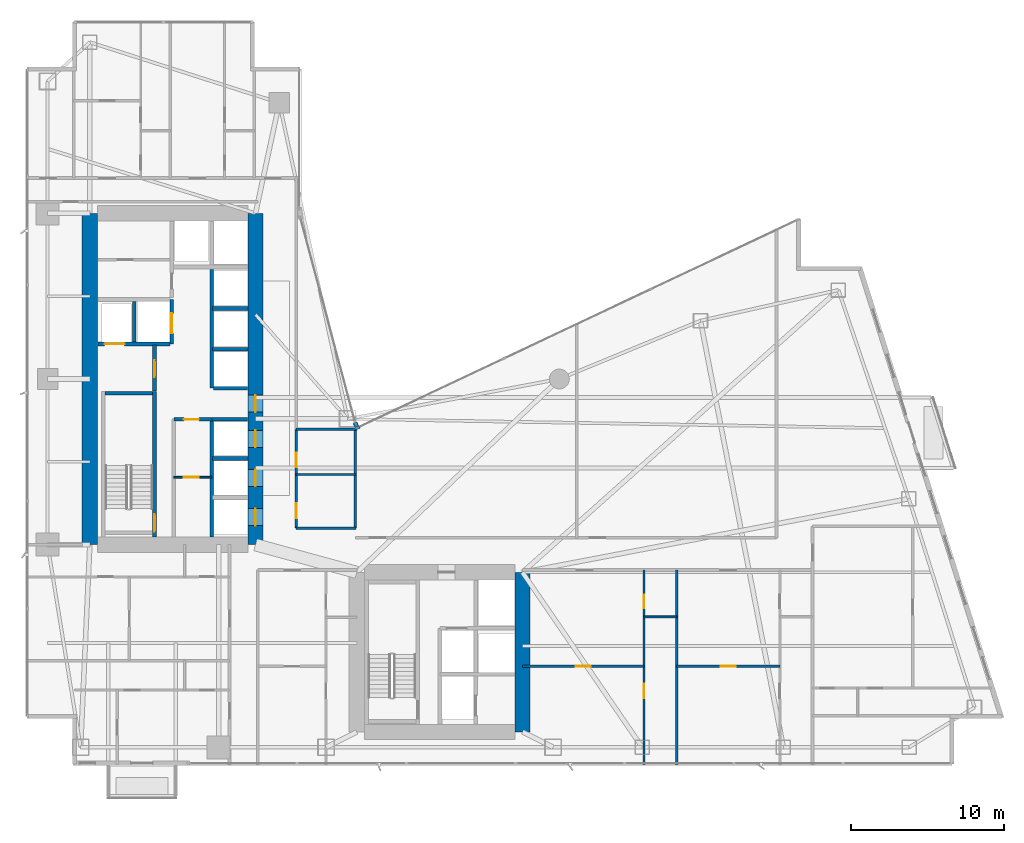
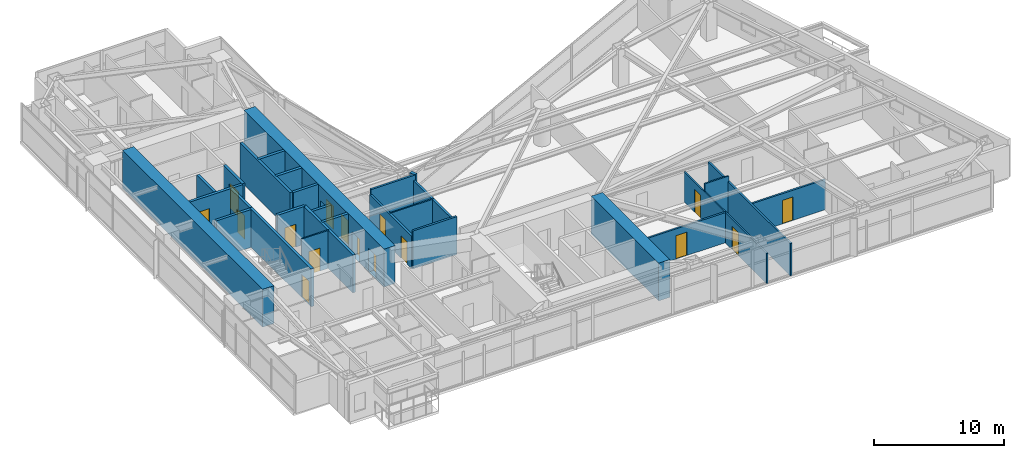
# One storey, part 23 of 29: 29 walls, 16 doors, 16 openings.
"""IFC4 building model written with IfcOpenShell, lengths in metres."""

from ifc_helpers import new_model, si_unit, direction, frame, frame_2d, origin, place, context, subcontext, project, spatial, rectangle, extrude, material, layer, layer_set, type_object, element, fill, save


model = new_model("IFC4")

# Units and contexts
model_context = context("Model", 3, precision=1e-05, world=origin(), true_north=direction((0.0, 1.0)))
body_context = subcontext(model_context, "Body", "Model", "MODEL_VIEW")
ifc_project = project(units=[si_unit("LENGTHUNIT", "METRE"), si_unit("AREAUNIT", "SQUARE_METRE"), si_unit("VOLUMEUNIT", "CUBIC_METRE"), si_unit("PLANEANGLEUNIT", "RADIAN"), si_unit("MASSUNIT", "GRAM", prefix="KILO")], contexts=[model_context])

# Site, building, storey
site_placement = place(None, origin())
site = spatial("IfcSite", under=ifc_project, at=site_placement, CompositionType="ELEMENT")
building_placement = place(site_placement, origin())
building = spatial("IfcBuilding", under=site, at=building_placement, Name="Calvorn Quay Hotel", CompositionType="ELEMENT")
storey_placement = place(building_placement, frame((0.0, 0.0, 66.0)))
storey = spatial("IfcBuildingStorey", under=building, at=storey_placement, Name="L15", CompositionType="ELEMENT", Elevation=66.0)

# Wall
ifc_material_1 = material(Name="Concrete C60", Category="concrete")
ifc_layer_1 = layer(ifc_material_1, 1.0)
ifc_layer_set_1 = layer_set([ifc_layer_1], Name="WL-CORE-1000")
wall_type_1 = type_object("IfcWallType", Name="WL-CORE-1000", PredefinedType="SHEAR", material=ifc_layer_set_1)
wall_1_placement = place(storey_placement, frame((4.199951171875, 16.800048828125, 0.0), z_axis=(0.0, 0.0, 1.0), x_axis=(0.0, 1.0, 0.0)))
element("IfcWall", 1, at=wall_1_placement, inside=storey, type_object=wall_type_1, Name="West Core Shear Wall W (L15)", PredefinedType="SHEAR", context=body_context, shape_type="SweptSolid", body=[
    extrude(rectangle(XDim=21.599853515625, YDim=1.0, at=frame_2d((10.7998046875, 0.0))), origin(), (0.0, 0.0, 1.0), 3.56005859375),
])

# Wall, openings, doors
wall_2_placement = place(storey_placement, frame((15.0, 16.800048828125, 0.0), z_axis=(0.0, 0.0, 1.0), x_axis=(0.0, 1.0, 0.0)))
wall_2 = element("IfcWall", 2, at=wall_2_placement, inside=storey, type_object=wall_type_1, Name="West Core Shear Wall E (L15)", PredefinedType="SHEAR", context=body_context, shape_type="SweptSolid", body=[
    extrude(rectangle(XDim=21.599853515625, YDim=1.0, at=frame_2d((10.7998046875, 0.0))), origin(), (0.0, 0.0, 1.0), 3.56005859375),
])
opening_1_placement = place(wall_2_placement, frame((8.64990234375, 0.0, 0.0)))
opening_1 = element("IfcOpeningElement", 3, at=opening_1_placement, cuts=wall_2, Name="Opening D-L15-CW1", PredefinedType="OPENING", context=body_context, shape_type="SweptSolid", body=[
    extrude(rectangle(XDim=1.10009765625, YDim=2.199951171875, at=frame_2d((0.550048828125, 1.10009765625))), frame((0.0, 0.510009765625, 0.0), z_axis=(0.0, -1.0, 0.0), x_axis=(1.0, 0.0, 0.0)), (0.0, 0.0, 1.0), 1.02001953125),
])
opening_2_placement = place(wall_2_placement, frame((1.25, 0.0, 0.0)))
opening_2 = element("IfcOpeningElement", 4, at=opening_2_placement, cuts=wall_2, Name="Opening LD-L15-L1", PredefinedType="OPENING", context=body_context, shape_type="SweptSolid", body=[
    extrude(rectangle(XDim=1.10009765625, YDim=2.199951171875, at=frame_2d((0.550048828125, 1.10009765625))), frame((0.0, 0.510009765625, 0.0), z_axis=(0.0, -1.0, 0.0), x_axis=(1.0, 0.0, 0.0)), (0.0, 0.0, 1.0), 1.02001953125),
])
opening_3_placement = place(wall_2_placement, frame((3.800048828125, 0.0, 0.0)))
opening_3 = element("IfcOpeningElement", 5, at=opening_3_placement, cuts=wall_2, Name="Opening LD-L15-L2", PredefinedType="OPENING", context=body_context, shape_type="SweptSolid", body=[
    extrude(rectangle(XDim=1.10009765625, YDim=2.199951171875, at=frame_2d((0.550048828125, 1.10009765625))), frame((0.0, 0.510009765625, 0.0), z_axis=(0.0, -1.0, 0.0), x_axis=(1.0, 0.0, 0.0)), (0.0, 0.0, 1.0), 1.02001953125),
])
opening_4_placement = place(wall_2_placement, frame((6.35009765625, 0.0, 0.0)))
opening_4 = element("IfcOpeningElement", 6, at=opening_4_placement, cuts=wall_2, Name="Opening LD-L15-L3", PredefinedType="OPENING", context=body_context, shape_type="SweptSolid", body=[
    extrude(rectangle(XDim=1.10009765625, YDim=2.199951171875, at=frame_2d((0.550048828125, 1.10009765625))), frame((0.0, 0.510009765625, 0.0), z_axis=(0.0, -1.0, 0.0), x_axis=(1.0, 0.0, 0.0)), (0.0, 0.0, 1.0), 1.02001953125),
])
ifc_material_2 = material(Name="Smoke-Sealed Steel Class A Fire Door", Category="steel")
door_type_1 = type_object("IfcDoorType", Name="DR-FFLOBBY-1100", OperationType="NOTDEFINED", PredefinedType="DOOR", material=ifc_material_2)
door_1_placement = place(opening_1_placement, origin())
door_1 = element("IfcDoor", 7, at=door_1_placement, inside=storey, type_object=door_type_1, Name="West Core Vestibule Fire Door (L15)", OperationType="SINGLE_SWING_RIGHT", OverallHeight=2.199951171875, OverallWidth=1.10009765625, PredefinedType="DOOR", context=body_context, shape_type="SweptSolid", body=[
    extrude(rectangle(XDim=1.10009765625, YDim=2.199951171875, at=frame_2d((0.550048828125, 1.10009765625))), frame((0.0, 0.02490234375, 0.0), z_axis=(0.0, -1.0, 0.0), x_axis=(1.0, 0.0, 0.0)), (0.0, 0.0, 1.0), 0.050048828125),
])
fill(opening_1, door_1)
ifc_material_3 = material(Name="Brushed Stainless Steel Sliding Lift Landing Door", Category="steel")
door_type_2 = type_object("IfcDoorType", Name="DR-LIFT-PASS-1100", OperationType="NOTDEFINED", PredefinedType="DOOR", material=ifc_material_3)
door_2_placement = place(opening_2_placement, origin())
door_2 = element("IfcDoor", 8, at=door_2_placement, inside=storey, type_object=door_type_2, Name="Low-Rise Lift PL-L1 Landing Door (L15)", OperationType="DOUBLE_DOOR_SLIDING", OverallHeight=2.199951171875, OverallWidth=1.10009765625, PredefinedType="DOOR", context=body_context, shape_type="SweptSolid", body=[
    extrude(rectangle(XDim=1.10009765625, YDim=2.199951171875, at=frame_2d((0.550048828125, 1.10009765625))), frame((0.0, 0.02490234375, 0.0), z_axis=(0.0, -1.0, 0.0), x_axis=(1.0, 0.0, 0.0)), (0.0, 0.0, 1.0), 0.050048828125),
])
fill(opening_2, door_2)
door_3_placement = place(opening_3_placement, origin())
door_3 = element("IfcDoor", 9, at=door_3_placement, inside=storey, type_object=door_type_2, Name="Low-Rise Lift PL-L2 Landing Door (L15)", OperationType="DOUBLE_DOOR_SLIDING", OverallHeight=2.199951171875, OverallWidth=1.10009765625, PredefinedType="DOOR", context=body_context, shape_type="SweptSolid", body=[
    extrude(rectangle(XDim=1.10009765625, YDim=2.199951171875, at=frame_2d((0.550048828125, 1.10009765625))), frame((0.0, 0.02490234375, 0.0), z_axis=(0.0, -1.0, 0.0), x_axis=(1.0, 0.0, 0.0)), (0.0, 0.0, 1.0), 0.050048828125),
])
fill(opening_3, door_3)
door_4_placement = place(opening_4_placement, origin())
door_4 = element("IfcDoor", 10, at=door_4_placement, inside=storey, type_object=door_type_2, Name="Low-Rise Lift PL-L3 Landing Door (L15)", OperationType="DOUBLE_DOOR_SLIDING", OverallHeight=2.199951171875, OverallWidth=1.10009765625, PredefinedType="DOOR", context=body_context, shape_type="SweptSolid", body=[
    extrude(rectangle(XDim=1.10009765625, YDim=2.199951171875, at=frame_2d((0.550048828125, 1.10009765625))), frame((0.0, 0.02490234375, 0.0), z_axis=(0.0, -1.0, 0.0), x_axis=(1.0, 0.0, 0.0)), (0.0, 0.0, 1.0), 0.050048828125),
])
fill(opening_4, door_4)

# Walls
wall_3_placement = place(storey_placement, frame((32.39990234375, 4.60009765625, 0.0), z_axis=(0.0, 0.0, 1.0), x_axis=(0.0, 1.0, 0.0)))
element("IfcWall", 11, at=wall_3_placement, inside=storey, type_object=wall_type_1, Name="East Core Shear Wall E (L15)", PredefinedType="SHEAR", context=body_context, shape_type="SweptSolid", body=[
    extrude(rectangle(XDim=10.39990234375, YDim=1.0, at=frame_2d((5.199951171875, 0.0))), origin(), (0.0, 0.0, 1.0), 3.56005859375),
])
ifc_material_4 = material(Name="Acoustic Fireboard Steel-Stud Partition", Category="steel")
ifc_layer_2 = layer(ifc_material_4, 0.179931640625)
ifc_layer_set_2 = layer_set([ifc_layer_2], Name="WL-CORR-FIRE-180")
wall_type_2 = type_object("IfcWallType", Name="WL-CORR-FIRE-180", PredefinedType="PARTITIONING", material=ifc_layer_set_2)
wall_4_placement = place(storey_placement, frame((17.64990234375, 17.8798828125, 0.0), z_axis=(0.0, 0.0, 1.0), x_axis=(1.0, 0.0, 0.0)))
element("IfcWall", 12, at=wall_4_placement, inside=storey, type_object=wall_type_2, Name="Partition Wall L15-WL-HK-S", PredefinedType="PARTITIONING", context=body_context, shape_type="SweptSolid", body=[
    extrude(rectangle(XDim=3.900146484375, YDim=0.179931640625, at=frame_2d((1.9501953125, 0.0))), origin(), (0.0, 0.0, 1.0), 3.56005859375),
])
wall_5_placement = place(storey_placement, frame((17.64990234375, 24.320068359375, 0.0), z_axis=(0.0, 0.0, 1.0), x_axis=(1.0, 0.0, 0.0)))
element("IfcWall", 13, at=wall_5_placement, inside=storey, type_object=wall_type_2, Name="Partition Wall L15-WL-HK-N", PredefinedType="PARTITIONING", context=body_context, shape_type="SweptSolid", body=[
    extrude(rectangle(XDim=3.9501953125, YDim=0.179931640625, at=frame_2d((1.97509765625, 0.0))), origin(), (0.0, 0.0, 1.0), 3.56005859375),
])
wall_6_placement = place(storey_placement, frame((21.5, 17.8798828125, 0.0), z_axis=(0.0, 0.0, 1.0), x_axis=(0.0, 1.0, 0.0)))
element("IfcWall", 14, at=wall_6_placement, inside=storey, type_object=wall_type_2, Name="Partition Wall L15-WL-HK-E", PredefinedType="PARTITIONING", context=body_context, shape_type="SweptSolid", body=[
    extrude(rectangle(XDim=6.440185546875, YDim=0.179931640625, at=frame_2d((3.22021484375, 0.0))), origin(), (0.0, 0.0, 1.0), 3.090087890625),
])

# Wall, openings, doors
wall_7_placement = place(storey_placement, frame((17.64990234375, 17.8798828125, 0.0), z_axis=(0.0, 0.0, 1.0), x_axis=(0.0, 1.0, 0.0)))
wall_7 = element("IfcWall", 15, at=wall_7_placement, inside=storey, type_object=wall_type_2, Name="Partition Wall L15-WL-HK-W", PredefinedType="PARTITIONING", context=body_context, shape_type="SweptSolid", body=[
    extrude(rectangle(XDim=6.440185546875, YDim=0.179931640625, at=frame_2d((3.22021484375, 0.0))), origin(), (0.0, 0.0, 1.0), 3.090087890625),
])
opening_5_placement = place(wall_7_placement, frame((0.64990234375, 0.0, 0.0)))
opening_5 = element("IfcOpeningElement", 16, at=opening_5_placement, cuts=wall_7, Name="Opening D-L15-HK", PredefinedType="OPENING", context=body_context, shape_type="SweptSolid", body=[
    extrude(rectangle(XDim=0.97998046875, YDim=2.14990234375, at=frame_2d((0.489990234375, 1.074951171875))), frame((0.0, 0.099853515625, 0.0), z_axis=(0.0, -1.0, 0.0), x_axis=(1.0, 0.0, 0.0)), (0.0, 0.0, 1.0), 0.199951171875),
])
opening_6_placement = place(wall_7_placement, frame((3.969970703125, 0.0, 0.0)))
opening_6 = element("IfcOpeningElement", 17, at=opening_6_placement, cuts=wall_7, Name="Opening D-L15-NCP", PredefinedType="OPENING", context=body_context, shape_type="SweptSolid", body=[
    extrude(rectangle(XDim=0.9599609375, YDim=2.199951171875, at=frame_2d((0.47998046875, 1.10009765625))), frame((0.0, 0.099853515625, 0.0), z_axis=(0.0, -1.0, 0.0), x_axis=(1.0, 0.0, 0.0)), (0.0, 0.0, 1.0), 0.199951171875),
])
ifc_material_5 = material(Name="Painted Steel Housekeeping/Riser Fire Door", Category="steel")
door_type_3 = type_object("IfcDoorType", Name="DR-SERVICE-980", OperationType="NOTDEFINED", PredefinedType="DOOR", material=ifc_material_5)
door_5_placement = place(opening_5_placement, origin())
door_5 = element("IfcDoor", 18, at=door_5_placement, inside=storey, type_object=door_type_3, Name="Floor Housekeeping Door (L15)", OperationType="SINGLE_SWING_LEFT", OverallHeight=2.14990234375, OverallWidth=0.97998046875, PredefinedType="DOOR", context=body_context, shape_type="SweptSolid", body=[
    extrude(rectangle(XDim=0.97998046875, YDim=2.14990234375, at=frame_2d((0.489990234375, 1.074951171875))), frame((0.0, 0.02490234375, 0.0), z_axis=(0.0, -1.0, 0.0), x_axis=(1.0, 0.0, 0.0)), (0.0, 0.0, 1.0), 0.050048828125),
])
fill(opening_5, door_5)
ifc_material_6 = material(Name="Solid Timber Internal Suite Door", Category="wood")
door_type_4 = type_object("IfcDoorType", Name="DR-SUITE-INT-960", OperationType="NOTDEFINED", PredefinedType="DOOR", material=ifc_material_6)
door_6_placement = place(opening_6_placement, origin())
door_6 = element("IfcDoor", 19, at=door_6_placement, inside=storey, type_object=door_type_4, Name="Reading Alcove Door (L15)", OperationType="SINGLE_SWING_RIGHT", OverallHeight=2.199951171875, OverallWidth=0.9599609375, PredefinedType="DOOR", context=body_context, shape_type="SweptSolid", body=[
    extrude(rectangle(XDim=0.9599609375, YDim=2.199951171875, at=frame_2d((0.47998046875, 1.10009765625))), frame((0.0, 0.02490234375, 0.0), z_axis=(0.0, -1.0, 0.0), x_axis=(1.0, 0.0, 0.0)), (0.0, 0.0, 1.0), 0.050048828125),
])
fill(opening_6, door_6)

# Wall, opening, door
ifc_material_7 = material(Name="Moisture-Resistant Tile-Backed Partition")
ifc_layer_3 = layer(ifc_material_7, 0.125)
ifc_layer_set_3 = layer_set([ifc_layer_3], Name="WL-ENSUITE-125")
wall_type_3 = type_object("IfcWallType", Name="WL-ENSUITE-125", PredefinedType="PARTITIONING", material=ifc_layer_set_3)
wall_8_placement = place(storey_placement, frame((9.679931640625, 21.199951171875, 0.0), z_axis=(0.0, 0.0, 1.0), x_axis=(1.0, 0.0, 0.0)))
wall_8 = element("IfcWall", 20, at=wall_8_placement, inside=storey, type_object=wall_type_3, Name="Partition Wall L15-WL-CWW-SER-M", PredefinedType="PARTITIONING", context=body_context, shape_type="SweptSolid", body=[
    extrude(rectangle(XDim=2.469970703125, YDim=0.125, at=frame_2d((1.23486328125, 0.0))), origin(), (0.0, 0.0, 1.0), 3.56005859375),
])
opening_7_placement = place(wall_8_placement, frame((0.64990234375, 0.0, 0.0)))
opening_7 = element("IfcOpeningElement", 21, at=opening_7_placement, cuts=wall_8, Name="Opening D-L15-CSM", PredefinedType="OPENING", context=body_context, shape_type="SweptSolid", body=[
    extrude(rectangle(XDim=0.97998046875, YDim=2.14990234375, at=frame_2d((0.489990234375, 1.074951171875))), frame((0.0, 0.072509765625, 0.0), z_axis=(0.0, -1.0, 0.0), x_axis=(1.0, 0.0, 0.0)), (0.0, 0.0, 1.0), 0.14501953125),
])
door_7_placement = place(opening_7_placement, origin())
door_7 = element("IfcDoor", 22, at=door_7_placement, inside=storey, type_object=door_type_3, Name="Core Valet Pantry Door (L15)", OperationType="SINGLE_SWING_LEFT", OverallHeight=2.14990234375, OverallWidth=0.97998046875, PredefinedType="DOOR", context=body_context, shape_type="SweptSolid", body=[
    extrude(rectangle(XDim=0.97998046875, YDim=2.14990234375, at=frame_2d((0.489990234375, 1.074951171875))), frame((0.0, 0.02490234375, 0.0), z_axis=(0.0, -1.0, 0.0), x_axis=(1.0, 0.0, 0.0)), (0.0, 0.0, 1.0), 0.050048828125),
])
fill(opening_7, door_7)

# Walls
wall_9_placement = place(storey_placement, frame((17.64990234375, 21.3798828125, 0.0), z_axis=(0.0, 0.0, 1.0), x_axis=(1.0, 0.0, 0.0)))
element("IfcWall", 23, at=wall_9_placement, inside=storey, type_object=wall_type_3, Name="Partition Wall L15-WL-HK-M", PredefinedType="PARTITIONING", context=body_context, shape_type="SweptSolid", body=[
    extrude(rectangle(XDim=3.900146484375, YDim=0.125, at=frame_2d((1.9501953125, 0.0))), origin(), (0.0, 0.0, 1.0), 3.090087890625),
])
wall_10_placement = place(storey_placement, frame((40.320068359375, 12.10009765625, 0.0), z_axis=(0.0, 0.0, 1.0), x_axis=(1.0, 0.0, 0.0)))
element("IfcWall", 24, at=wall_10_placement, inside=storey, type_object=wall_type_3, Name="Partition Wall L15-WL-U06-BDV", PredefinedType="PARTITIONING", context=body_context, shape_type="SweptSolid", body=[
    extrude(rectangle(XDim=2.1298828125, YDim=0.125, at=frame_2d((1.06494140625, 0.0))), origin(), (0.0, 0.0, 1.0), 3.56005859375),
])

# Wall, openings, doors
wall_11_placement = place(storey_placement, frame((40.320068359375, 2.43994140625, 0.0), z_axis=(0.0, 0.0, 1.0), x_axis=(0.0, 1.0, 0.0)))
wall_11 = element("IfcWall", 25, at=wall_11_placement, inside=storey, type_object=wall_type_3, Name="Partition Wall L15-WL-U06-BV", PredefinedType="PARTITIONING", context=body_context, shape_type="SweptSolid", body=[
    extrude(rectangle(XDim=12.7099609375, YDim=0.125, at=frame_2d((6.35498046875, 0.0))), origin(), (0.0, 0.0, 1.0), 2.840087890625),
])
opening_8_placement = place(wall_11_placement, frame((4.35009765625, 0.0, 0.0)))
opening_8 = element("IfcOpeningElement", 26, at=opening_8_placement, cuts=wall_11, Name="Opening D-L15-S06", PredefinedType="OPENING", context=body_context, shape_type="SweptSolid", body=[
    extrude(rectangle(XDim=0.9599609375, YDim=2.199951171875, at=frame_2d((0.47998046875, 1.10009765625))), frame((0.0, 0.072509765625, 0.0), z_axis=(0.0, -1.0, 0.0), x_axis=(1.0, 0.0, 0.0)), (0.0, 0.0, 1.0), 0.14501953125),
])
opening_9_placement = place(wall_11_placement, frame((10.2099609375, 0.0, 0.0)))
opening_9 = element("IfcOpeningElement", 27, at=opening_9_placement, cuts=wall_11, Name="Opening D-L15-E06", PredefinedType="OPENING", context=body_context, shape_type="SweptSolid", body=[
    extrude(rectangle(XDim=0.89990234375, YDim=2.14990234375, at=frame_2d((0.449951171875, 1.074951171875))), frame((0.0, 0.072509765625, 0.0), z_axis=(0.0, -1.0, 0.0), x_axis=(1.0, 0.0, 0.0)), (0.0, 0.0, 1.0), 0.14501953125),
])
ifc_material_8 = material(Name="Moisture-Sealed Timber En-Suite Door", Category="wood")
door_type_5 = type_object("IfcDoorType", Name="DR-ENSUITE-900", OperationType="NOTDEFINED", PredefinedType="DOOR", material=ifc_material_8)
door_8_placement = place(opening_9_placement, origin())
door_8 = element("IfcDoor", 28, at=door_8_placement, inside=storey, type_object=door_type_5, Name="En-Suite Door 06", OperationType="SINGLE_SWING_RIGHT", OverallHeight=2.14990234375, OverallWidth=0.89990234375, PredefinedType="DOOR", context=body_context, shape_type="SweptSolid", body=[
    extrude(rectangle(XDim=0.89990234375, YDim=2.14990234375, at=frame_2d((0.449951171875, 1.074951171875))), frame((0.0, 0.02490234375, 0.0), z_axis=(0.0, -1.0, 0.0), x_axis=(1.0, 0.0, 0.0)), (0.0, 0.0, 1.0), 0.050048828125),
])
fill(opening_9, door_8)
door_9_placement = place(opening_8_placement, origin())
door_9 = element("IfcDoor", 29, at=door_9_placement, inside=storey, type_object=door_type_4, Name="Spa Therapy Room Door 06", OperationType="SINGLE_SWING_LEFT", OverallHeight=2.199951171875, OverallWidth=0.9599609375, PredefinedType="DOOR", context=body_context, shape_type="SweptSolid", body=[
    extrude(rectangle(XDim=0.9599609375, YDim=2.199951171875, at=frame_2d((0.47998046875, 1.10009765625))), frame((0.0, 0.02490234375, 0.0), z_axis=(0.0, -1.0, 0.0), x_axis=(1.0, 0.0, 0.0)), (0.0, 0.0, 1.0), 0.050048828125),
])
fill(opening_8, door_9)

# Wall
ifc_material_9 = material(Name="Concrete C40", Category="concrete")
ifc_layer_4 = layer(ifc_material_9, 0.320068359375)
ifc_layer_set_4 = layer_set([ifc_layer_4], Name="WL-EXT-SPANDREL-320")
wall_type_4 = type_object("IfcWallType", Name="WL-EXT-SPANDREL-320", PredefinedType="SOLIDWALL", material=ifc_layer_set_4)
wall_12_placement = place(storey_placement, frame((21.679931640625, 24.340087890625, 0.0), z_axis=(0.0, 0.0, 1.0), x_axis=(-0.40758134973, 0.913168901875, 0.0)))
element("IfcWall", 30, at=wall_12_placement, inside=storey, type_object=wall_type_4, Name="Inner Court Corner Pier L15-ICJ1", PredefinedType="SOLIDWALL", context=body_context, shape_type="SweptSolid", body=[
    extrude(rectangle(XDim=0.470703125, YDim=0.280029296875, at=frame_2d((0.2353515625, 0.0))), origin(), (0.0, 0.0, 1.0), 3.56005859375),
])

# Wall, opening, door
ifc_material_10 = material(Name="Double-Stud Acoustic Gypsum Partition")
ifc_layer_5 = layer(ifc_material_10, 0.159912109375)
ifc_layer_set_5 = layer_set([ifc_layer_5], Name="WL-INTERSUITE-160")
wall_type_5 = type_object("IfcWallType", Name="WL-INTERSUITE-160", PredefinedType="PARTITIONING", material=ifc_layer_set_5)
wall_13_placement = place(storey_placement, frame((32.39990234375, 8.8798828125, 0.0), z_axis=(0.0, 0.0, 1.0), x_axis=(1.0, 0.0, 0.0)))
wall_13 = element("IfcWall", 31, at=wall_13_placement, inside=storey, type_object=wall_type_5, Name="Partition Wall L15-WL-U06-MSP", PredefinedType="PARTITIONING", context=body_context, shape_type="SweptSolid", body=[
    extrude(rectangle(XDim=7.920166015625, YDim=0.159912109375, at=frame_2d((3.9599609375, 0.0))), origin(), (0.0, 0.0, 1.0), 2.840087890625),
])
opening_10_placement = place(wall_13_placement, frame((3.47998046875, 0.0, 0.0)))
opening_10 = element("IfcOpeningElement", 32, at=opening_10_placement, cuts=wall_13, Name="Opening D-L15-M06", PredefinedType="OPENING", context=body_context, shape_type="SweptSolid", body=[
    extrude(rectangle(XDim=0.9599609375, YDim=2.199951171875, at=frame_2d((0.47998046875, 1.10009765625))), frame((0.0, 0.08984375, 0.0), z_axis=(0.0, -1.0, 0.0), x_axis=(1.0, 0.0, 0.0)), (0.0, 0.0, 1.0), 0.179931640625),
])
door_10_placement = place(opening_10_placement, origin())
door_10 = element("IfcDoor", 33, at=door_10_placement, inside=storey, type_object=door_type_4, Name="Suite Bedroom Door 06", OperationType="SINGLE_SWING_LEFT", OverallHeight=2.199951171875, OverallWidth=0.9599609375, PredefinedType="DOOR", context=body_context, shape_type="SweptSolid", body=[
    extrude(rectangle(XDim=0.9599609375, YDim=2.199951171875, at=frame_2d((0.47998046875, 1.10009765625))), frame((0.0, 0.02490234375, 0.0), z_axis=(0.0, -1.0, 0.0), x_axis=(1.0, 0.0, 0.0)), (0.0, 0.0, 1.0), 0.050048828125),
])
fill(opening_10, door_10)

wall_14_placement = place(storey_placement, frame((42.449951171875, 8.8798828125, 0.0), z_axis=(0.0, 0.0, 1.0), x_axis=(1.0, 0.0, 0.0)))
wall_14 = element("IfcWall", 34, at=wall_14_placement, inside=storey, type_object=wall_type_5, Name="Partition Wall L15-WL-U07-MSP", PredefinedType="PARTITIONING", context=body_context, shape_type="SweptSolid", body=[
    extrude(rectangle(XDim=6.719970703125, YDim=0.159912109375, at=frame_2d((3.35986328125, 0.0))), origin(), (0.0, 0.0, 1.0), 2.840087890625),
])
opening_11_placement = place(wall_14_placement, frame((2.8798828125, 0.0, 0.0)))
opening_11 = element("IfcOpeningElement", 35, at=opening_11_placement, cuts=wall_14, Name="Opening D-L15-M07", PredefinedType="OPENING", context=body_context, shape_type="SweptSolid", body=[
    extrude(rectangle(XDim=0.9599609375, YDim=2.199951171875, at=frame_2d((0.47998046875, 1.10009765625))), frame((0.0, 0.08984375, 0.0), z_axis=(0.0, -1.0, 0.0), x_axis=(1.0, 0.0, 0.0)), (0.0, 0.0, 1.0), 0.179931640625),
])
door_11_placement = place(opening_11_placement, origin())
door_11 = element("IfcDoor", 36, at=door_11_placement, inside=storey, type_object=door_type_4, Name="Suite Bedroom Door 07", OperationType="SINGLE_SWING_LEFT", OverallHeight=2.199951171875, OverallWidth=0.9599609375, PredefinedType="DOOR", context=body_context, shape_type="SweptSolid", body=[
    extrude(rectangle(XDim=0.9599609375, YDim=2.199951171875, at=frame_2d((0.47998046875, 1.10009765625))), frame((0.0, 0.02490234375, 0.0), z_axis=(0.0, -1.0, 0.0), x_axis=(1.0, 0.0, 0.0)), (0.0, 0.0, 1.0), 0.050048828125),
])
fill(opening_11, door_11)

# Wall
wall_15_placement = place(storey_placement, frame((42.449951171875, 2.43994140625, 0.0), z_axis=(0.0, 0.0, 1.0), x_axis=(0.0, 1.0, 0.0)))
element("IfcWall", 37, at=wall_15_placement, inside=storey, type_object=wall_type_5, Name="Partition Wall L15-WL-SE-DIV-1", PredefinedType="PARTITIONING", context=body_context, shape_type="SweptSolid", body=[
    extrude(rectangle(XDim=12.7099609375, YDim=0.159912109375, at=frame_2d((6.35498046875, 0.0))), origin(), (0.0, 0.0, 1.0), 3.0400390625),
])

# Wall, opening, door
ifc_material_11 = material(Name="Concrete C40", Category="concrete")
ifc_layer_6 = layer(ifc_material_11, 0.239990234375)
ifc_layer_set_6 = layer_set([ifc_layer_6], Name="WL-SHAFT-240")
wall_type_6 = type_object("IfcWallType", Name="WL-SHAFT-240", PredefinedType="SOLIDWALL", material=ifc_layer_set_6)
wall_16_placement = place(storey_placement, frame((8.419921875, 17.300048828125, 0.0), z_axis=(0.0, 0.0, 1.0), x_axis=(0.0, 1.0, 0.0)))
wall_16 = element("IfcWall", 38, at=wall_16_placement, inside=storey, type_object=wall_type_6, Name="Stair STW Shaft Wall E (L15)", PredefinedType="SOLIDWALL", context=body_context, shape_type="SweptSolid", body=[
    extrude(rectangle(XDim=9.489990234375, YDim=0.239990234375, at=frame_2d((4.7451171875, 0.0))), origin(), (0.0, 0.0, 1.0), 3.56005859375),
])
opening_12_placement = place(wall_16_placement, frame((0.35009765625, 0.0, 0.0)))
opening_12 = element("IfcOpeningElement", 39, at=opening_12_placement, cuts=wall_16, Name="Opening D-L15-STW", PredefinedType="OPENING", context=body_context, shape_type="SweptSolid", body=[
    extrude(rectangle(XDim=1.14990234375, YDim=2.199951171875, at=frame_2d((0.574951171875, 1.10009765625))), frame((0.0, 0.1298828125, 0.0), z_axis=(0.0, -1.0, 0.0), x_axis=(1.0, 0.0, 0.0)), (0.0, 0.0, 1.0), 0.260009765625),
])
ifc_material_12 = material(Name="Galvanised Steel Class A Fire Door", Category="steel")
door_type_6 = type_object("IfcDoorType", Name="DR-STAIR-SMOKE-1150", OperationType="NOTDEFINED", PredefinedType="DOOR", material=ifc_material_12)
door_12_placement = place(opening_12_placement, origin())
door_12 = element("IfcDoor", 40, at=door_12_placement, inside=storey, type_object=door_type_6, Name="Stair ST-W Fire Door (L15)", OperationType="SINGLE_SWING_LEFT", OverallHeight=2.199951171875, OverallWidth=1.14990234375, PredefinedType="DOOR", context=body_context, shape_type="SweptSolid", body=[
    extrude(rectangle(XDim=1.14990234375, YDim=2.199951171875, at=frame_2d((0.574951171875, 1.10009765625))), frame((0.0, 0.02490234375, 0.0), z_axis=(0.0, -1.0, 0.0), x_axis=(1.0, 0.0, 0.0)), (0.0, 0.0, 1.0), 0.050048828125),
])
fill(opening_12, door_12)

# Walls
wall_17_placement = place(storey_placement, frame((5.199951171875, 26.669921875, 0.0), z_axis=(0.0, 0.0, 1.0), x_axis=(1.0, 0.0, 0.0)))
element("IfcWall", 41, at=wall_17_placement, inside=storey, type_object=wall_type_6, Name="Stair STW Shaft Wall N (L15)", PredefinedType="SOLIDWALL", context=body_context, shape_type="SweptSolid", body=[
    extrude(rectangle(XDim=3.10009765625, YDim=0.239990234375, at=frame_2d((1.550048828125, 0.0))), origin(), (0.0, 0.0, 1.0), 3.56005859375),
])
for number, where, z_axis, x_axis, name in (
    (42, (12.179931640625, 22.425048828125, 0.0), (0.0, 0.0, 1.0), (1.0, 0.0, 0.0), "Lift Hoistway Divider Wall PLL23 (L15)"),
    (43, (12.179931640625, 29.550048828125, 0.0), (0.0, 0.0, 1.0), (1.0, 0.0, 0.0), "Lift Hoistway Divider Wall PLM12 (L15)"),
    (44, (12.179931640625, 32.199951171875, 0.0), (0.0, 0.0, 1.0), (1.0, 0.0, 0.0), "Lift Hoistway Divider Wall PLM23 (L15)"),
):
    element("IfcWall", number, at=place(storey_placement, frame(where, z_axis=z_axis, x_axis=x_axis)), inside=storey, type_object=wall_type_6, Name=name, PredefinedType="SOLIDWALL", context=body_context, shape_type="SweptSolid", body=[
        extrude(rectangle(XDim=2.320068359375, YDim=0.239990234375, at=frame_2d((1.16015625, 0.0))), origin(), (0.0, 0.0, 1.0), 3.56005859375),
    ])

# Wall, opening, door
wall_18_placement = place(storey_placement, frame((8.419921875, 26.820068359375, 0.0), z_axis=(0.0, 0.0, 1.0), x_axis=(0.0, 1.0, 0.0)))
wall_18 = element("IfcWall", 45, at=wall_18_placement, inside=storey, type_object=wall_type_6, Name="Partition Wall L15-WL-CWW-FFL-E", PredefinedType="SOLIDWALL", context=body_context, shape_type="SweptSolid", body=[
    extrude(rectangle(XDim=3.0, YDim=0.239990234375, at=frame_2d((1.5, 0.0))), origin(), (0.0, 0.0, 1.0), 3.56005859375),
])
opening_13_placement = place(wall_18_placement, frame((0.89990234375, 0.0, 0.0)))
opening_13 = element("IfcOpeningElement", 46, at=opening_13_placement, cuts=wall_18, Name="Opening D-L15-FLW", PredefinedType="OPENING", context=body_context, shape_type="SweptSolid", body=[
    extrude(rectangle(XDim=1.10009765625, YDim=2.199951171875, at=frame_2d((0.550048828125, 1.10009765625))), frame((0.0, 0.1298828125, 0.0), z_axis=(0.0, -1.0, 0.0), x_axis=(1.0, 0.0, 0.0)), (0.0, 0.0, 1.0), 0.260009765625),
])
door_13_placement = place(opening_13_placement, origin())
door_13 = element("IfcDoor", 47, at=door_13_placement, inside=storey, type_object=door_type_1, Name="West Firefighting Lobby Fire Door (L15)", OperationType="SINGLE_SWING_RIGHT", OverallHeight=2.199951171875, OverallWidth=1.10009765625, PredefinedType="DOOR", context=body_context, shape_type="SweptSolid", body=[
    extrude(rectangle(XDim=1.10009765625, YDim=2.199951171875, at=frame_2d((0.550048828125, 1.10009765625))), frame((0.0, 0.02490234375, 0.0), z_axis=(0.0, -1.0, 0.0), x_axis=(1.0, 0.0, 0.0)), (0.0, 0.0, 1.0), 0.050048828125),
])
fill(opening_13, door_13)

wall_19_placement = place(storey_placement, frame((4.719970703125, 29.8798828125, 0.0), z_axis=(0.0, 0.0, 1.0), x_axis=(1.0, 0.0, 0.0)))
wall_19 = element("IfcWall", 48, at=wall_19_placement, inside=storey, type_object=wall_type_6, Name="Partition Wall L15-WL-CWW-FLW-S", PredefinedType="SOLIDWALL", context=body_context, shape_type="SweptSolid", body=[
    extrude(rectangle(XDim=4.699951171875, YDim=0.239990234375, at=frame_2d((2.35009765625, 0.0))), origin(), (0.0, 0.0, 1.0), 3.56005859375),
])
opening_14_placement = place(wall_19_placement, frame((0.449951171875, 0.0, 0.0)))
opening_14 = element("IfcOpeningElement", 49, at=opening_14_placement, cuts=wall_19, Name="Opening LD-L15-FLW1", PredefinedType="OPENING", context=body_context, shape_type="SweptSolid", body=[
    extrude(rectangle(XDim=1.300048828125, YDim=2.35009765625, at=frame_2d((0.64990234375, 1.175048828125))), frame((0.0, 0.1298828125, 0.0), z_axis=(0.0, -1.0, 0.0), x_axis=(1.0, 0.0, 0.0)), (0.0, 0.0, 1.0), 0.260009765625),
])
ifc_material_13 = material(Name="Champagne-Bronze Sliding Express Lift Landing Door")
door_type_7 = type_object("IfcDoorType", Name="DR-LIFT-SHUTTLE-1300", OperationType="NOTDEFINED", PredefinedType="DOOR", material=ifc_material_13)
door_14_placement = place(opening_14_placement, origin())
door_14 = element("IfcDoor", 50, at=door_14_placement, inside=storey, type_object=door_type_7, Name="Firefighting Lift FL-W1 Landing Door (L15)", OperationType="DOUBLE_DOOR_SLIDING", OverallHeight=2.35009765625, OverallWidth=1.300048828125, PredefinedType="DOOR", context=body_context, shape_type="SweptSolid", body=[
    extrude(rectangle(XDim=1.300048828125, YDim=2.35009765625, at=frame_2d((0.64990234375, 1.175048828125))), frame((0.0, 0.02490234375, 0.0), z_axis=(0.0, -1.0, 0.0), x_axis=(1.0, 0.0, 0.0)), (0.0, 0.0, 1.0), 0.050048828125),
])
fill(opening_14, door_14)

# Wall
wall_20_placement = place(storey_placement, frame((7.10009765625, 30.02001953125, 0.0), z_axis=(0.0, 0.0, 1.0), x_axis=(0.0, 1.0, 0.0)))
element("IfcWall", 51, at=wall_20_placement, inside=storey, type_object=wall_type_6, Name="Partition Wall L15-WL-CWW-FLW-DIV", PredefinedType="SOLIDWALL", context=body_context, shape_type="SweptSolid", body=[
    extrude(rectangle(XDim=2.6298828125, YDim=0.239990234375, at=frame_2d((1.31494140625, 0.0))), origin(), (0.0, 0.0, 1.0), 3.56005859375),
])

# Wall, opening, door
wall_21_placement = place(storey_placement, frame((9.5400390625, 29.8798828125, 0.0), z_axis=(0.0, 0.0, 1.0), x_axis=(0.0, 1.0, 0.0)))
wall_21 = element("IfcWall", 52, at=wall_21_placement, inside=storey, type_object=wall_type_6, Name="Partition Wall L15-WL-CWW-SLW-E", PredefinedType="SOLIDWALL", context=body_context, shape_type="SweptSolid", body=[
    extrude(rectangle(XDim=2.900146484375, YDim=0.239990234375, at=frame_2d((1.4501953125, 0.0))), origin(), (0.0, 0.0, 1.0), 3.56005859375),
])
opening_15_placement = place(wall_21_placement, frame((0.699951171875, 0.0, 0.0)))
opening_15 = element("IfcOpeningElement", 53, at=opening_15_placement, cuts=wall_21, Name="Opening LD-L15-SLW1", PredefinedType="OPENING", context=body_context, shape_type="SweptSolid", body=[
    extrude(rectangle(XDim=1.300048828125, YDim=2.35009765625, at=frame_2d((0.64990234375, 1.175048828125))), frame((0.0, 0.1298828125, 0.0), z_axis=(0.0, -1.0, 0.0), x_axis=(1.0, 0.0, 0.0)), (0.0, 0.0, 1.0), 0.260009765625),
])
door_15_placement = place(opening_15_placement, origin())
door_15 = element("IfcDoor", 54, at=door_15_placement, inside=storey, type_object=door_type_7, Name="Service Lift SL-W1 Landing Door (L15)", OperationType="DOUBLE_DOOR_SLIDING", OverallHeight=2.35009765625, OverallWidth=1.300048828125, PredefinedType="DOOR", context=body_context, shape_type="SweptSolid", body=[
    extrude(rectangle(XDim=1.300048828125, YDim=2.35009765625, at=frame_2d((0.64990234375, 1.175048828125))), frame((0.0, 0.02490234375, 0.0), z_axis=(0.0, -1.0, 0.0), x_axis=(1.0, 0.0, 0.0)), (0.0, 0.0, 1.0), 0.050048828125),
])
fill(opening_15, door_15)

# Wall
wall_22_placement = place(storey_placement, frame((12.14990234375, 17.320068359375, 0.0), z_axis=(0.0, 0.0, 1.0), x_axis=(0.0, 1.0, 0.0)))
element("IfcWall", 55, at=wall_22_placement, inside=storey, type_object=wall_type_6, Name="Partition Wall L15-WL-CWW-PLL-W", PredefinedType="SOLIDWALL", context=body_context, shape_type="SweptSolid", body=[
    extrude(rectangle(XDim=7.64990234375, YDim=0.239990234375, at=frame_2d((3.824951171875, 0.0))), origin(), (0.0, 0.0, 1.0), 3.56005859375),
])

# Wall, opening, door
wall_23_placement = place(storey_placement, frame((9.679931640625, 24.969970703125, 0.0), z_axis=(0.0, 0.0, 1.0), x_axis=(1.0, 0.0, 0.0)))
wall_23 = element("IfcWall", 56, at=wall_23_placement, inside=storey, type_object=wall_type_6, Name="Partition Wall L15-WL-CWW-SER-N", PredefinedType="SOLIDWALL", context=body_context, shape_type="SweptSolid", body=[
    extrude(rectangle(XDim=2.469970703125, YDim=0.239990234375, at=frame_2d((1.23486328125, 0.0))), origin(), (0.0, 0.0, 1.0), 3.56005859375),
])
opening_16_placement = place(wall_23_placement, frame((0.64990234375, 0.0, 0.0)))
opening_16 = element("IfcOpeningElement", 57, at=opening_16_placement, cuts=wall_23, Name="Opening D-L15-CSR", PredefinedType="OPENING", context=body_context, shape_type="SweptSolid", body=[
    extrude(rectangle(XDim=0.97998046875, YDim=2.14990234375, at=frame_2d((0.489990234375, 1.074951171875))), frame((0.0, 0.1298828125, 0.0), z_axis=(0.0, -1.0, 0.0), x_axis=(1.0, 0.0, 0.0)), (0.0, 0.0, 1.0), 0.260009765625),
])
door_16_placement = place(opening_16_placement, origin())
door_16 = element("IfcDoor", 58, at=door_16_placement, inside=storey, type_object=door_type_3, Name="Core Service Closet Door (L15)", OperationType="SINGLE_SWING_LEFT", OverallHeight=2.14990234375, OverallWidth=0.97998046875, PredefinedType="DOOR", context=body_context, shape_type="SweptSolid", body=[
    extrude(rectangle(XDim=0.97998046875, YDim=2.14990234375, at=frame_2d((0.489990234375, 1.074951171875))), frame((0.0, 0.02490234375, 0.0), z_axis=(0.0, -1.0, 0.0), x_axis=(1.0, 0.0, 0.0)), (0.0, 0.0, 1.0), 0.050048828125),
])
fill(opening_16, door_16)

# Walls
wall_24_placement = place(storey_placement, frame((12.14990234375, 24.969970703125, 0.0), z_axis=(0.0, 0.0, 1.0), x_axis=(1.0, 0.0, 0.0)))
element("IfcWall", 59, at=wall_24_placement, inside=storey, type_object=wall_type_6, Name="Partition Wall L15-WL-CWW-PLL-SHN", PredefinedType="SOLIDWALL", context=body_context, shape_type="SweptSolid", body=[
    extrude(rectangle(XDim=2.330078125, YDim=0.239990234375, at=frame_2d((1.1650390625, 0.0))), origin(), (0.0, 0.0, 1.0), 2.840087890625),
])
wall_25_placement = place(storey_placement, frame((12.25, 27.0, 0.0), z_axis=(0.0, 0.0, 1.0), x_axis=(1.0, 0.0, 0.0)))
element("IfcWall", 60, at=wall_25_placement, inside=storey, type_object=wall_type_6, Name="Partition Wall L15-WL-CWW-PLM-S", PredefinedType="SOLIDWALL", context=body_context, shape_type="SweptSolid", body=[
    extrude(rectangle(XDim=2.22998046875, YDim=0.239990234375, at=frame_2d((1.114990234375, 0.0))), origin(), (0.0, 0.0, 1.0), 3.56005859375),
])
wall_26_placement = place(storey_placement, frame((12.14990234375, 27.0, 0.0), z_axis=(0.0, 0.0, 1.0), x_axis=(0.0, 1.0, 0.0)))
element("IfcWall", 61, at=wall_26_placement, inside=storey, type_object=wall_type_6, Name="Partition Wall L15-WL-CWW-PLM-W", PredefinedType="SOLIDWALL", context=body_context, shape_type="SweptSolid", body=[
    extrude(rectangle(XDim=7.75, YDim=0.239990234375, at=frame_2d((3.875, 0.0))), origin(), (0.0, 0.0, 1.0), 3.56005859375),
])

save(model, "model.ifc")
